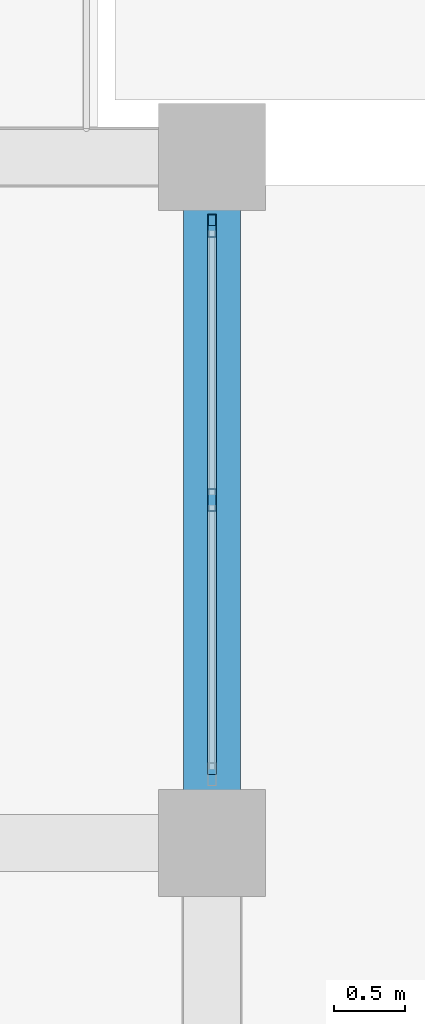
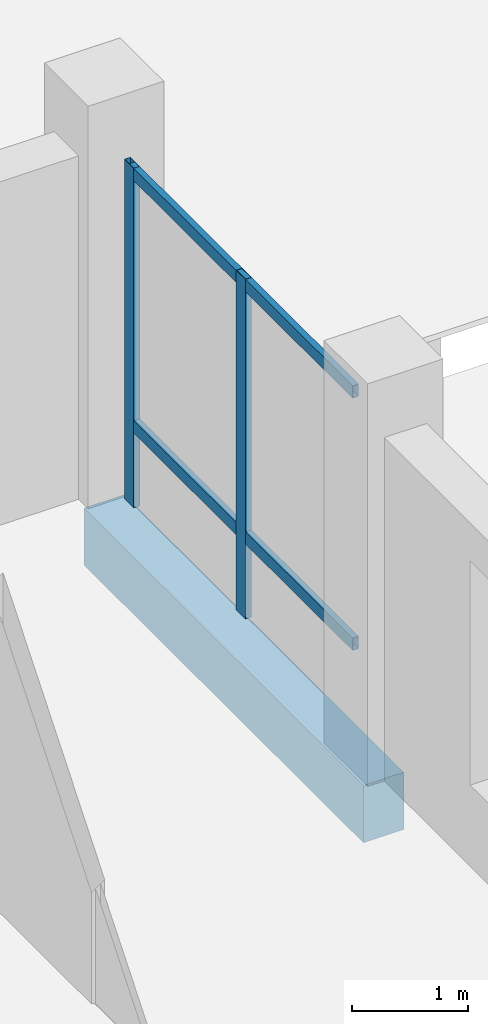
# One storey, part 27 of 98: 4 members, 1 beam, 1 element without a shape of its own.
"""IFC4 building model written with IfcOpenShell, lengths in metres."""

from ifc_helpers import new_model, si_unit, direction, frame, origin, origin_2d, place, context, subcontext, project, spatial, rectangle, hollow_rectangle, extrude, material, material_profile, profile_set, type_object, element, aggregate, save


model = new_model("IFC4")

# Units and contexts
model_context = context("Model", 3, precision=1e-05, world=origin(), true_north=direction((0.0, 1.0)))
body_context = subcontext(model_context, "Body", "Model", "MODEL_VIEW")
ifc_project = project(units=[si_unit("LENGTHUNIT", "METRE"), si_unit("AREAUNIT", "SQUARE_METRE"), si_unit("VOLUMEUNIT", "CUBIC_METRE"), si_unit("PLANEANGLEUNIT", "RADIAN"), si_unit("MASSUNIT", "GRAM", prefix="KILO")], contexts=[model_context])

# Site, building, storey
site_placement = place(None, origin())
site = spatial("IfcSite", under=ifc_project, at=site_placement, CompositionType="ELEMENT")
building_placement = place(site_placement, origin())
building = spatial("IfcBuilding", under=site, at=building_placement, Name="Zornivar Specialist Clinic", CompositionType="ELEMENT")
storey_placement = place(building_placement, origin())
storey = spatial("IfcBuildingStorey", under=building, at=storey_placement, Name="L00", CompositionType="ELEMENT", Elevation=0.0)

# Beam
ifc_material_1 = material(Name="Concrete C30/37", Category="concrete")
ifc_material_profile_1 = material_profile(ifc_material_1, rectangle(XDim=0.39990234375, YDim=0.60009765625, at=origin_2d()), Name="RC 400x600")
ifc_profile_set_1 = profile_set([ifc_material_profile_1], Name="Concrete C30/37")
beam_type = type_object("IfcBeamType", Name="BM-RC-400x600", PredefinedType="BEAM", material=ifc_profile_set_1)
beam_placement = place(storey_placement, frame((14.39990234375, 52.800048828125, -0.580078125), z_axis=(0.0, 1.0, 0.0), x_axis=(-1.0, 0.0, 0.0)))
element("IfcBeam", 1, at=beam_placement, inside=storey, type_object=beam_type, Name="bm:V2:L00:y:144:8", PredefinedType="BEAM", context=body_context, shape_type="SweptSolid", body=[
    extrude(rectangle(XDim=0.39990234375, YDim=0.60009765625, at=origin_2d()), origin(), (0.0, 0.0, 1.0), 4.800048828125),
])

# Curtain wall, members
ifc_material_2 = material(Name="Aluminium and Low-E Glass Curtain Wall", Category="aluminium")
curtain_wall_type = type_object("IfcCurtainWallType", Name="CW-REVAK-COURT", PredefinedType="NOTDEFINED", material=ifc_material_2)
curtain_wall_placement = place(storey_placement, origin())
curtain_wall = element("IfcCurtainWall", 2, at=curtain_wall_placement, inside=storey, type_object=curtain_wall_type, Name="cw:V2:L00:20", PredefinedType="NOTDEFINED")
ifc_material_3 = material(Name="Aluminium AW-6060", Category="aluminium")
ifc_material_profile_2 = material_profile(ifc_material_3, hollow_rectangle(XDim=0.06005859375, YDim=0.159912109375, WallThickness=0.00390625, at=origin_2d()), Name="ALU 60x160x4")
ifc_profile_set_2 = profile_set([ifc_material_profile_2], Name="Aluminium AW-6060")
member_type_1 = type_object("IfcMemberType", Name="CWM-MUL-160", PredefinedType="MULLION", material=ifc_profile_set_2)
member_1_placement = place(storey_placement, frame((14.39990234375, 55.199951171875, 0.0), z_axis=(0.0, 0.0, 1.0), x_axis=(1.0, 0.0, 0.0)))
member_1 = element("IfcMember", 3, at=member_1_placement, type_object=member_type_1, Name="cw:V2:L00:20:mul:1", PredefinedType="MULLION", context=body_context, shape_type="SweptSolid", body=[
    extrude(hollow_rectangle(XDim=0.06005859375, YDim=0.159912109375, WallThickness=0.00390625, at=origin_2d()), origin(), (0.0, 0.0, 1.0), 3.56005859375),
])
member_2_placement = place(storey_placement, frame((14.39990234375, 57.1201171875, 0.0), z_axis=(0.0, 0.0, 1.0), x_axis=(1.0, 0.0, 0.0)))
member_2 = element("IfcMember", 4, at=member_2_placement, type_object=member_type_1, Name="cw:V2:L00:20:mul:2", PredefinedType="MULLION", context=body_context, shape_type="SweptSolid", body=[
    extrude(hollow_rectangle(XDim=0.06005859375, YDim=0.159912109375, WallThickness=0.00390625, at=origin_2d()), origin(), (0.0, 0.0, 1.0), 3.56005859375),
])
ifc_material_4 = material(Name="Aluminium AW-6060", Category="aluminium")
ifc_material_profile_3 = material_profile(ifc_material_4, hollow_rectangle(XDim=0.06005859375, YDim=0.1298828125, WallThickness=0.00390625, at=origin_2d()), Name="ALU 60x130x4")
ifc_profile_set_3 = profile_set([ifc_material_profile_3], Name="Aluminium AW-6060")
member_type_2 = type_object("IfcMemberType", Name="CWM-TRN-130", PredefinedType="USERDEFINED", material=ifc_profile_set_3)
member_3_placement = place(storey_placement, frame((14.39990234375, 53.280029296875, 0.85009765625), z_axis=(0.0, 1.0, 0.0), x_axis=(-1.0, 0.0, 0.0)))
member_3 = element("IfcMember", 5, at=member_3_placement, type_object=member_type_2, Name="cw:V2:L00:20:trn:0", ObjectType="TRANSOM", PredefinedType="USERDEFINED", context=body_context, shape_type="SweptSolid", body=[
    extrude(hollow_rectangle(XDim=0.06005859375, YDim=0.1298828125, WallThickness=0.00390625, at=origin_2d()), origin(), (0.0, 0.0, 1.0), 3.840087890625),
])
member_4_placement = place(storey_placement, frame((14.39990234375, 53.280029296875, 3.4951171875), z_axis=(0.0, 1.0, 0.0), x_axis=(-1.0, 0.0, 0.0)))
member_4 = element("IfcMember", 6, at=member_4_placement, type_object=member_type_2, Name="cw:V2:L00:20:trn:1", ObjectType="TRANSOM", PredefinedType="USERDEFINED", context=body_context, shape_type="SweptSolid", body=[
    extrude(hollow_rectangle(XDim=0.06005859375, YDim=0.1298828125, WallThickness=0.00390625, at=origin_2d()), origin(), (0.0, 0.0, 1.0), 3.840087890625),
])
aggregate(curtain_wall, [member_1, member_2, member_3, member_4])

save(model, "model.ifc")
